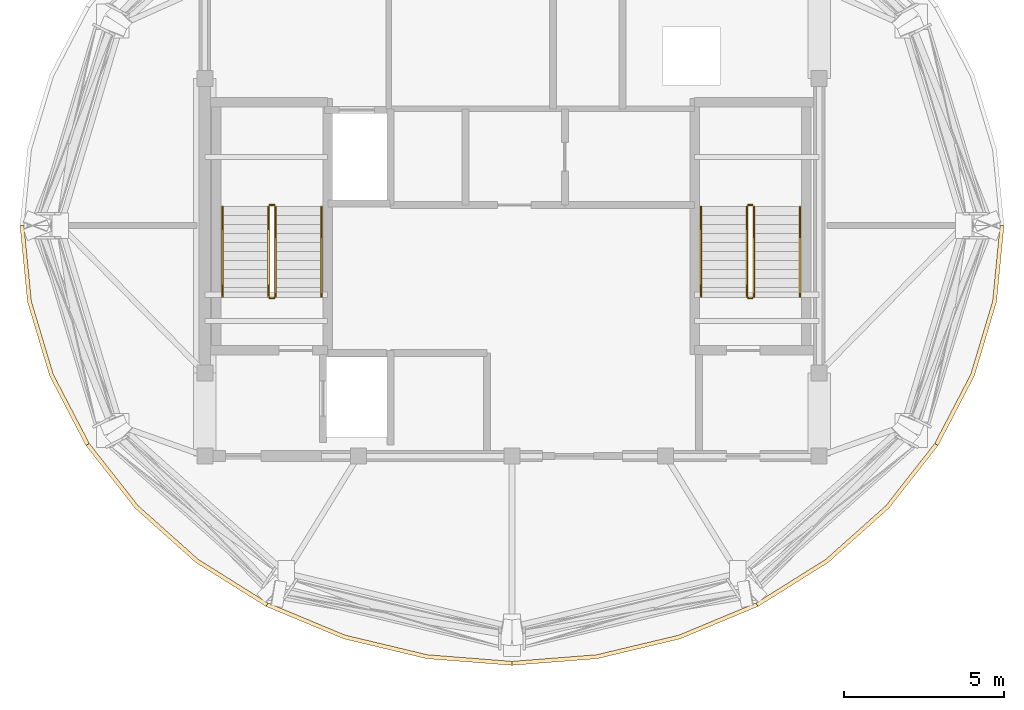
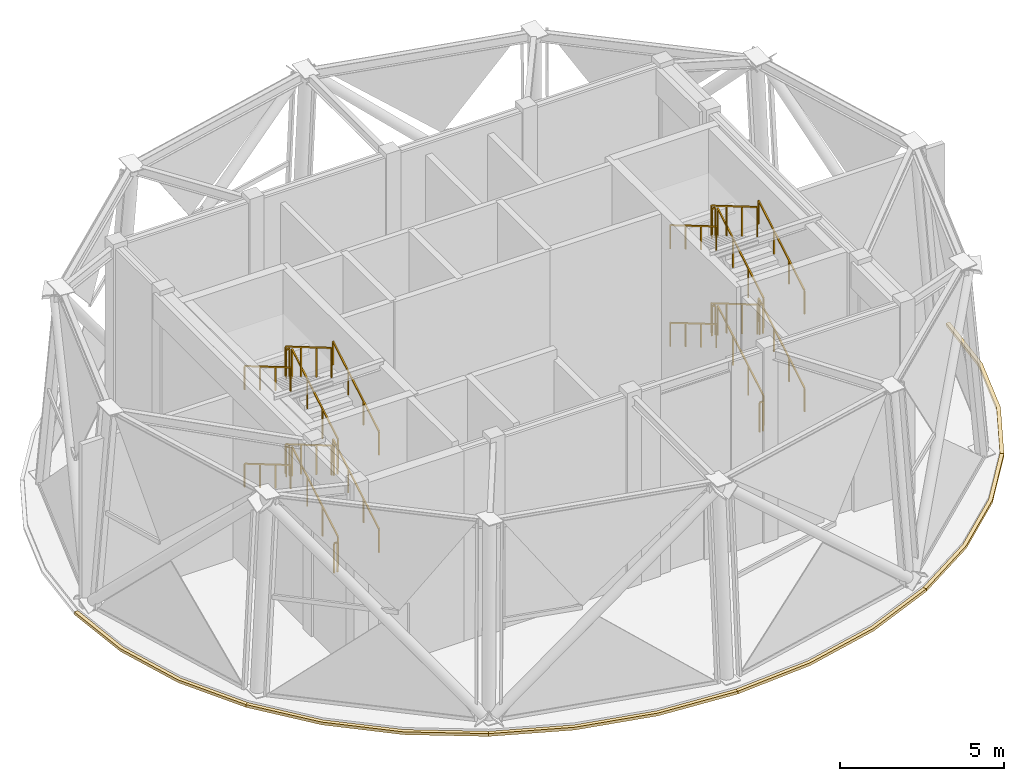
# One storey, part 7 of 8: 24 railings, 6 coverings.
"""IFC4 building model written with IfcOpenShell, lengths in metres."""

from ifc_helpers import new_model, si_unit, direction, frame, origin, origin_2d, place, context, subcontext, project, spatial, polyline, rectangle, outline, extrude, material, layer, layer_set, type_object, element, save


model = new_model("IFC4")

# Units and contexts
model_context = context("Model", 3, precision=1e-05, world=origin(), true_north=direction((0.0, 1.0)))
body_context = subcontext(model_context, "Body", "Model", "MODEL_VIEW")
ifc_project = project(units=[si_unit("LENGTHUNIT", "METRE"), si_unit("AREAUNIT", "SQUARE_METRE"), si_unit("VOLUMEUNIT", "CUBIC_METRE"), si_unit("PLANEANGLEUNIT", "RADIAN"), si_unit("MASSUNIT", "GRAM", prefix="KILO")], contexts=[model_context])

# Site, building, storey
site_placement = place(None, origin())
site = spatial("IfcSite", under=ifc_project, at=site_placement, CompositionType="ELEMENT")
building_placement = place(site_placement, origin())
building = spatial("IfcBuilding", under=site, at=building_placement, Name="Vantalir Tower", CompositionType="ELEMENT")
storey_placement = place(building_placement, frame((0.0, 0.0, 333.5)))
storey = spatial("IfcBuildingStorey", under=building, at=storey_placement, Name="L80", CompositionType="ELEMENT", Elevation=333.5)

# Coverings
ifc_material_1 = material(Name="Anodised champagne aluminium sill fascia", Category="aluminium")
ifc_layer = layer(ifc_material_1, 0.125)
ifc_layer_set = layer_set([ifc_layer], Name="Anodised champagne aluminium sill fascia")
covering_type = type_object("IfcCoveringType", Name="COV-SLAB-FASCIA-125", PredefinedType="CLADDING", material=ifc_layer_set)
covering_1_placement = place(storey_placement, frame((0.0, 0.0, -0.179931640625)))
element("IfcCovering", 1, at=covering_1_placement, inside=storey, type_object=covering_type, Name="L80 Perimeter Slab-Edge Sill Fascia 07", PredefinedType="CLADDING", context=body_context, shape_type="SweptSolid", body=[
    extrude(outline(polyline([(16.1240234375, 25.0), (16.35791015625, 22.614013671875), (17.051025390625, 20.300048828125), (18.18408203125, 18.12890625), (18.2919921875, 18.19091796875), (17.1689453125, 20.343017578125), (16.48095703125, 22.635009765625), (16.2490234375, 25.0), (16.1240234375, 25.0)])), origin(), (0.0, 0.0, 1.0), 0.10498046875),
])
covering_2_placement = place(storey_placement, frame((0.0, 0.0, -0.179931640625)))
element("IfcCovering", 2, at=covering_2_placement, inside=storey, type_object=covering_type, Name="L80 Perimeter Slab-Edge Sill Fascia 08", PredefinedType="CLADDING", context=body_context, shape_type="SweptSolid", body=[
    extrude(outline(polyline([(18.18408203125, 18.12890625), (19.720947265625, 16.1669921875), (21.615966796875, 14.472900390625), (23.81201171875, 13.09912109375), (23.8740234375, 13.20703125), (21.697021484375, 14.569091796875), (19.81689453125, 16.2470703125), (18.2919921875, 18.19091796875), (18.18408203125, 18.12890625)])), origin(), (0.0, 0.0, 1.0), 0.10498046875),
])
covering_3_placement = place(storey_placement, frame((0.0, 0.0, -0.179931640625)))
element("IfcCovering", 3, at=covering_3_placement, inside=storey, type_object=covering_type, Name="L80 Perimeter Slab-Edge Sill Fascia 09", PredefinedType="CLADDING", context=body_context, shape_type="SweptSolid", body=[
    extrude(outline(polyline([(23.81201171875, 13.09912109375), (26.240966796875, 12.0869140625), (28.830078125, 11.467041015625), (31.5, 11.258056640625), (31.5, 11.383056640625), (28.85205078125, 11.590087890625), (26.283935546875, 12.2041015625), (23.8740234375, 13.20703125), (23.81201171875, 13.09912109375)])), origin(), (0.0, 0.0, 1.0), 0.10498046875),
])
covering_4_placement = place(storey_placement, frame((0.0, 0.0, -0.179931640625)))
element("IfcCovering", 4, at=covering_4_placement, inside=storey, type_object=covering_type, Name="L80 Perimeter Slab-Edge Sill Fascia 10", PredefinedType="CLADDING", context=body_context, shape_type="SweptSolid", body=[
    extrude(outline(polyline([(31.5, 11.258056640625), (34.169921875, 11.467041015625), (36.759033203125, 12.0869140625), (39.18798828125, 13.09912109375), (39.1259765625, 13.20703125), (36.716064453125, 12.2041015625), (34.14794921875, 11.590087890625), (31.5, 11.383056640625), (31.5, 11.258056640625)])), origin(), (0.0, 0.0, 1.0), 0.10498046875),
])
covering_5_placement = place(storey_placement, frame((0.0, 0.0, -0.179931640625)))
element("IfcCovering", 5, at=covering_5_placement, inside=storey, type_object=covering_type, Name="L80 Perimeter Slab-Edge Sill Fascia 11", PredefinedType="CLADDING", context=body_context, shape_type="SweptSolid", body=[
    extrude(outline(polyline([(39.18798828125, 13.09912109375), (41.384033203125, 14.472900390625), (43.279052734375, 16.1669921875), (44.81591796875, 18.12890625), (44.7080078125, 18.19091796875), (43.18310546875, 16.2470703125), (41.302978515625, 14.569091796875), (39.1259765625, 13.20703125), (39.18798828125, 13.09912109375)])), origin(), (0.0, 0.0, 1.0), 0.10498046875),
])
covering_6_placement = place(storey_placement, frame((0.0, 0.0, -0.179931640625)))
element("IfcCovering", 6, at=covering_6_placement, inside=storey, type_object=covering_type, Name="L80 Perimeter Slab-Edge Sill Fascia 12", PredefinedType="CLADDING", context=body_context, shape_type="SweptSolid", body=[
    extrude(outline(polyline([(44.81591796875, 18.12890625), (45.948974609375, 20.300048828125), (46.64208984375, 22.614013671875), (46.8759765625, 25.0), (46.7509765625, 25.0), (46.51904296875, 22.635009765625), (45.8310546875, 20.343017578125), (44.7080078125, 18.19091796875), (44.81591796875, 18.12890625)])), origin(), (0.0, 0.0, 1.0), 0.10498046875),
])

# Railings
ifc_material_2 = material(Name="Anodised aluminium and stainless steel guard", Category="steel")
railing_type_1 = type_object("IfcRailingType", Name="RAL-GUARD-1120", PredefinedType="GUARDRAIL", material=ifc_material_2)
railing_1_placement = place(storey_placement, frame((24.110107421875, 22.7900390625, 0.164794921875)))
element("IfcRailing", 7, at=railing_1_placement, inside=storey, type_object=railing_type_1, Name="L80 ST1 stair guard 1", PredefinedType="GUARDRAIL", context=body_context, shape_type="SweptSolid", body=[
    extrude(rectangle(XDim=0.048095703125, YDim=0.048095703125, at=origin_2d()), frame((0.0, 0.0, 1.09619140625), z_axis=(0.0, 0.861851137157, 0.507161332695), x_axis=(-1.0, 0.0, 0.0)), (0.0, 0.0, 1.0), 3.248779296875),
    extrude(rectangle(XDim=0.0419921875, YDim=0.0419921875, at=origin_2d()), origin(), (0.0, 0.0, 1.0), 1.072021484375),
    extrude(rectangle(XDim=0.0419921875, YDim=0.0419921875, at=origin_2d()), frame((0.0, 0.933349609375, 0.54931640625)), (0.0, 0.0, 1.0), 1.072021484375),
    extrude(rectangle(XDim=0.0419921875, YDim=0.0419921875, at=origin_2d()), frame((0.0, 1.86669921875, 1.098388671875)), (0.0, 0.0, 1.0), 1.072021484375),
    extrude(rectangle(XDim=0.0419921875, YDim=0.0419921875, at=origin_2d()), frame((0.0, 2.800048828125, 1.647705078125)), (0.0, 0.0, 1.0), 1.072021484375),
])
railing_2_placement = place(storey_placement, frame((24.06005859375, 25.639892578125, 1.8125)))
element("IfcRailing", 8, at=railing_2_placement, inside=storey, type_object=railing_type_1, Name="L80 ST1 stair guard 2", PredefinedType="GUARDRAIL", context=body_context, shape_type="SweptSolid", body=[
    extrude(rectangle(XDim=0.048095703125, YDim=0.048095703125, at=origin_2d()), frame((0.0, 0.0, 1.09619140625), z_axis=(-1.0, 0.0, 0.0), x_axis=(0.0, -1.0, 0.0)), (0.0, 0.0, 1.0), 0.1201171875),
    extrude(rectangle(XDim=0.0419921875, YDim=0.0419921875, at=origin_2d()), origin(), (0.0, 0.0, 1.0), 1.072021484375),
    extrude(rectangle(XDim=0.0419921875, YDim=0.0419921875, at=origin_2d()), frame((-0.1201171875, 0.0, 0.0)), (0.0, 0.0, 1.0), 1.072021484375),
])
railing_3_placement = place(storey_placement, frame((23.889892578125, 25.590087890625, 1.977294921875)))
element("IfcRailing", 9, at=railing_3_placement, inside=storey, type_object=railing_type_1, Name="L80 ST1 stair guard 3", PredefinedType="GUARDRAIL", context=body_context, shape_type="SweptSolid", body=[
    extrude(rectangle(XDim=0.048095703125, YDim=0.048095703125, at=origin_2d()), frame((0.0, 0.0, 1.09619140625), z_axis=(0.0, -0.861851137157, 0.507161332695), x_axis=(1.0, 0.0, 0.0)), (0.0, 0.0, 1.0), 3.248779296875),
    extrude(rectangle(XDim=0.0419921875, YDim=0.0419921875, at=origin_2d()), origin(), (0.0, 0.0, 1.0), 1.072021484375),
    extrude(rectangle(XDim=0.0419921875, YDim=0.0419921875, at=origin_2d()), frame((0.0, -0.933349609375, 0.54931640625)), (0.0, 0.0, 1.0), 1.072021484375),
    extrude(rectangle(XDim=0.0419921875, YDim=0.0419921875, at=origin_2d()), frame((0.0, -1.86669921875, 1.098388671875)), (0.0, 0.0, 1.0), 1.072021484375),
    extrude(rectangle(XDim=0.0419921875, YDim=0.0419921875, at=origin_2d()), frame((0.0, -2.800048828125, 1.647705078125)), (0.0, 0.0, 1.0), 1.072021484375),
])
railing_4_placement = place(storey_placement, frame((24.06005859375, 22.739990234375, 3.625)))
element("IfcRailing", 10, at=railing_4_placement, inside=storey, type_object=railing_type_1, Name="L80 ST1 stair guard 4", PredefinedType="GUARDRAIL", context=body_context, shape_type="SweptSolid", body=[
    extrude(rectangle(XDim=0.048095703125, YDim=0.048095703125, at=origin_2d()), frame((0.0, 0.0, 1.09619140625), z_axis=(-1.0, 0.0, 0.0), x_axis=(0.0, -1.0, 0.0)), (0.0, 0.0, 1.0), 0.1201171875),
    extrude(rectangle(XDim=0.0419921875, YDim=0.0419921875, at=origin_2d()), origin(), (0.0, 0.0, 1.0), 1.072021484375),
    extrude(rectangle(XDim=0.0419921875, YDim=0.0419921875, at=origin_2d()), frame((-0.1201171875, 0.0, 0.0)), (0.0, 0.0, 1.0), 1.072021484375),
])
railing_5_placement = place(storey_placement, frame((24.110107421875, 22.7900390625, 3.789794921875)))
element("IfcRailing", 11, at=railing_5_placement, inside=storey, type_object=railing_type_1, Name="L80 ST1 stair guard 5", PredefinedType="GUARDRAIL", context=body_context, shape_type="SweptSolid", body=[
    extrude(rectangle(XDim=0.048095703125, YDim=0.048095703125, at=origin_2d()), frame((0.0, 0.0, 1.09619140625), z_axis=(0.0, 0.861851137157, 0.507161332695), x_axis=(-1.0, 0.0, 0.0)), (0.0, 0.0, 1.0), 3.248779296875),
    extrude(rectangle(XDim=0.0419921875, YDim=0.0419921875, at=origin_2d()), origin(), (0.0, 0.0, 1.0), 1.072021484375),
    extrude(rectangle(XDim=0.0419921875, YDim=0.0419921875, at=origin_2d()), frame((0.0, 0.933349609375, 0.54931640625)), (0.0, 0.0, 1.0), 1.072021484375),
    extrude(rectangle(XDim=0.0419921875, YDim=0.0419921875, at=origin_2d()), frame((0.0, 1.86669921875, 1.098388671875)), (0.0, 0.0, 1.0), 1.072021484375),
    extrude(rectangle(XDim=0.0419921875, YDim=0.0419921875, at=origin_2d()), frame((0.0, 2.800048828125, 1.647705078125)), (0.0, 0.0, 1.0), 1.072021484375),
])
railing_6_placement = place(storey_placement, frame((24.06005859375, 25.639892578125, 5.4375)))
element("IfcRailing", 12, at=railing_6_placement, inside=storey, type_object=railing_type_1, Name="L80 ST1 stair guard 6", PredefinedType="GUARDRAIL", context=body_context, shape_type="SweptSolid", body=[
    extrude(rectangle(XDim=0.048095703125, YDim=0.048095703125, at=origin_2d()), frame((0.0, 0.0, 1.09619140625), z_axis=(-1.0, 0.0, 0.0), x_axis=(0.0, -1.0, 0.0)), (0.0, 0.0, 1.0), 0.1201171875),
    extrude(rectangle(XDim=0.0419921875, YDim=0.0419921875, at=origin_2d()), origin(), (0.0, 0.0, 1.0), 1.072021484375),
    extrude(rectangle(XDim=0.0419921875, YDim=0.0419921875, at=origin_2d()), frame((-0.1201171875, 0.0, 0.0)), (0.0, 0.0, 1.0), 1.072021484375),
])
railing_7_placement = place(storey_placement, frame((23.889892578125, 25.590087890625, 5.602294921875)))
element("IfcRailing", 13, at=railing_7_placement, inside=storey, type_object=railing_type_1, Name="L80 ST1 stair guard 7", PredefinedType="GUARDRAIL", context=body_context, shape_type="SweptSolid", body=[
    extrude(rectangle(XDim=0.048095703125, YDim=0.048095703125, at=origin_2d()), frame((0.0, 0.0, 1.09619140625), z_axis=(0.0, -0.861851137157, 0.507161332695), x_axis=(1.0, 0.0, 0.0)), (0.0, 0.0, 1.0), 3.248779296875),
    extrude(rectangle(XDim=0.0419921875, YDim=0.0419921875, at=origin_2d()), origin(), (0.0, 0.0, 1.0), 1.072021484375),
    extrude(rectangle(XDim=0.0419921875, YDim=0.0419921875, at=origin_2d()), frame((0.0, -0.933349609375, 0.54931640625)), (0.0, 0.0, 1.0), 1.072021484375),
    extrude(rectangle(XDim=0.0419921875, YDim=0.0419921875, at=origin_2d()), frame((0.0, -1.86669921875, 1.098388671875)), (0.0, 0.0, 1.0), 1.072021484375),
    extrude(rectangle(XDim=0.0419921875, YDim=0.0419921875, at=origin_2d()), frame((0.0, -2.800048828125, 1.647705078125)), (0.0, 0.0, 1.0), 1.072021484375),
])
railing_8_placement = place(storey_placement, frame((24.06005859375, 22.739990234375, 0.0)))
element("IfcRailing", 14, at=railing_8_placement, inside=storey, type_object=railing_type_1, Name="L80 ST1 stair guard 8", PredefinedType="GUARDRAIL", context=body_context, shape_type="SweptSolid", body=[
    extrude(rectangle(XDim=0.048095703125, YDim=0.048095703125, at=origin_2d()), frame((0.0, 0.0, 1.09619140625), z_axis=(-1.0, 0.0, 0.0), x_axis=(0.0, -1.0, 0.0)), (0.0, 0.0, 1.0), 0.1201171875),
    extrude(rectangle(XDim=0.0419921875, YDim=0.0419921875, at=origin_2d()), origin(), (0.0, 0.0, 1.0), 1.072021484375),
    extrude(rectangle(XDim=0.0419921875, YDim=0.0419921875, at=origin_2d()), frame((-0.1201171875, 0.0, 0.0)), (0.0, 0.0, 1.0), 1.072021484375),
])
railing_9_placement = place(storey_placement, frame((39.06005859375, 22.7900390625, 0.164794921875)))
element("IfcRailing", 15, at=railing_9_placement, inside=storey, type_object=railing_type_1, Name="L80 ST2 stair guard 1", PredefinedType="GUARDRAIL", context=body_context, shape_type="SweptSolid", body=[
    extrude(rectangle(XDim=0.048095703125, YDim=0.048095703125, at=origin_2d()), frame((0.0, 0.0, 1.09619140625), z_axis=(0.0, 0.861851137157, 0.507161332695), x_axis=(-1.0, 0.0, 0.0)), (0.0, 0.0, 1.0), 3.248779296875),
    extrude(rectangle(XDim=0.0419921875, YDim=0.0419921875, at=origin_2d()), origin(), (0.0, 0.0, 1.0), 1.072021484375),
    extrude(rectangle(XDim=0.0419921875, YDim=0.0419921875, at=origin_2d()), frame((0.0, 0.933349609375, 0.54931640625)), (0.0, 0.0, 1.0), 1.072021484375),
    extrude(rectangle(XDim=0.0419921875, YDim=0.0419921875, at=origin_2d()), frame((0.0, 1.86669921875, 1.098388671875)), (0.0, 0.0, 1.0), 1.072021484375),
    extrude(rectangle(XDim=0.0419921875, YDim=0.0419921875, at=origin_2d()), frame((0.0, 2.800048828125, 1.647705078125)), (0.0, 0.0, 1.0), 1.072021484375),
])
railing_10_placement = place(storey_placement, frame((39.010009765625, 25.639892578125, 1.8125)))
element("IfcRailing", 16, at=railing_10_placement, inside=storey, type_object=railing_type_1, Name="L80 ST2 stair guard 2", PredefinedType="GUARDRAIL", context=body_context, shape_type="SweptSolid", body=[
    extrude(rectangle(XDim=0.048095703125, YDim=0.048095703125, at=origin_2d()), frame((0.0, 0.0, 1.09619140625), z_axis=(-1.0, 0.0, 0.0), x_axis=(0.0, -1.0, 0.0)), (0.0, 0.0, 1.0), 0.1201171875),
    extrude(rectangle(XDim=0.0419921875, YDim=0.0419921875, at=origin_2d()), origin(), (0.0, 0.0, 1.0), 1.072021484375),
    extrude(rectangle(XDim=0.0419921875, YDim=0.0419921875, at=origin_2d()), frame((-0.1201171875, 0.0, 0.0)), (0.0, 0.0, 1.0), 1.072021484375),
])
railing_11_placement = place(storey_placement, frame((38.840087890625, 25.590087890625, 1.977294921875)))
element("IfcRailing", 17, at=railing_11_placement, inside=storey, type_object=railing_type_1, Name="L80 ST2 stair guard 3", PredefinedType="GUARDRAIL", context=body_context, shape_type="SweptSolid", body=[
    extrude(rectangle(XDim=0.048095703125, YDim=0.048095703125, at=origin_2d()), frame((0.0, 0.0, 1.09619140625), z_axis=(0.0, -0.861851137157, 0.507161332695), x_axis=(1.0, 0.0, 0.0)), (0.0, 0.0, 1.0), 3.248779296875),
    extrude(rectangle(XDim=0.0419921875, YDim=0.0419921875, at=origin_2d()), origin(), (0.0, 0.0, 1.0), 1.072021484375),
    extrude(rectangle(XDim=0.0419921875, YDim=0.0419921875, at=origin_2d()), frame((0.0, -0.933349609375, 0.54931640625)), (0.0, 0.0, 1.0), 1.072021484375),
    extrude(rectangle(XDim=0.0419921875, YDim=0.0419921875, at=origin_2d()), frame((0.0, -1.86669921875, 1.098388671875)), (0.0, 0.0, 1.0), 1.072021484375),
    extrude(rectangle(XDim=0.0419921875, YDim=0.0419921875, at=origin_2d()), frame((0.0, -2.800048828125, 1.647705078125)), (0.0, 0.0, 1.0), 1.072021484375),
])
railing_12_placement = place(storey_placement, frame((39.010009765625, 22.739990234375, 3.625)))
element("IfcRailing", 18, at=railing_12_placement, inside=storey, type_object=railing_type_1, Name="L80 ST2 stair guard 4", PredefinedType="GUARDRAIL", context=body_context, shape_type="SweptSolid", body=[
    extrude(rectangle(XDim=0.048095703125, YDim=0.048095703125, at=origin_2d()), frame((0.0, 0.0, 1.09619140625), z_axis=(-1.0, 0.0, 0.0), x_axis=(0.0, -1.0, 0.0)), (0.0, 0.0, 1.0), 0.1201171875),
    extrude(rectangle(XDim=0.0419921875, YDim=0.0419921875, at=origin_2d()), origin(), (0.0, 0.0, 1.0), 1.072021484375),
    extrude(rectangle(XDim=0.0419921875, YDim=0.0419921875, at=origin_2d()), frame((-0.1201171875, 0.0, 0.0)), (0.0, 0.0, 1.0), 1.072021484375),
])
railing_13_placement = place(storey_placement, frame((39.06005859375, 22.7900390625, 3.789794921875)))
element("IfcRailing", 19, at=railing_13_placement, inside=storey, type_object=railing_type_1, Name="L80 ST2 stair guard 5", PredefinedType="GUARDRAIL", context=body_context, shape_type="SweptSolid", body=[
    extrude(rectangle(XDim=0.048095703125, YDim=0.048095703125, at=origin_2d()), frame((0.0, 0.0, 1.09619140625), z_axis=(0.0, 0.861851137157, 0.507161332695), x_axis=(-1.0, 0.0, 0.0)), (0.0, 0.0, 1.0), 3.248779296875),
    extrude(rectangle(XDim=0.0419921875, YDim=0.0419921875, at=origin_2d()), origin(), (0.0, 0.0, 1.0), 1.072021484375),
    extrude(rectangle(XDim=0.0419921875, YDim=0.0419921875, at=origin_2d()), frame((0.0, 0.933349609375, 0.54931640625)), (0.0, 0.0, 1.0), 1.072021484375),
    extrude(rectangle(XDim=0.0419921875, YDim=0.0419921875, at=origin_2d()), frame((0.0, 1.86669921875, 1.098388671875)), (0.0, 0.0, 1.0), 1.072021484375),
    extrude(rectangle(XDim=0.0419921875, YDim=0.0419921875, at=origin_2d()), frame((0.0, 2.800048828125, 1.647705078125)), (0.0, 0.0, 1.0), 1.072021484375),
])
railing_14_placement = place(storey_placement, frame((39.010009765625, 25.639892578125, 5.4375)))
element("IfcRailing", 20, at=railing_14_placement, inside=storey, type_object=railing_type_1, Name="L80 ST2 stair guard 6", PredefinedType="GUARDRAIL", context=body_context, shape_type="SweptSolid", body=[
    extrude(rectangle(XDim=0.048095703125, YDim=0.048095703125, at=origin_2d()), frame((0.0, 0.0, 1.09619140625), z_axis=(-1.0, 0.0, 0.0), x_axis=(0.0, -1.0, 0.0)), (0.0, 0.0, 1.0), 0.1201171875),
    extrude(rectangle(XDim=0.0419921875, YDim=0.0419921875, at=origin_2d()), origin(), (0.0, 0.0, 1.0), 1.072021484375),
    extrude(rectangle(XDim=0.0419921875, YDim=0.0419921875, at=origin_2d()), frame((-0.1201171875, 0.0, 0.0)), (0.0, 0.0, 1.0), 1.072021484375),
])
railing_15_placement = place(storey_placement, frame((38.840087890625, 25.590087890625, 5.602294921875)))
element("IfcRailing", 21, at=railing_15_placement, inside=storey, type_object=railing_type_1, Name="L80 ST2 stair guard 7", PredefinedType="GUARDRAIL", context=body_context, shape_type="SweptSolid", body=[
    extrude(rectangle(XDim=0.048095703125, YDim=0.048095703125, at=origin_2d()), frame((0.0, 0.0, 1.09619140625), z_axis=(0.0, -0.861851137157, 0.507161332695), x_axis=(1.0, 0.0, 0.0)), (0.0, 0.0, 1.0), 3.248779296875),
    extrude(rectangle(XDim=0.0419921875, YDim=0.0419921875, at=origin_2d()), origin(), (0.0, 0.0, 1.0), 1.072021484375),
    extrude(rectangle(XDim=0.0419921875, YDim=0.0419921875, at=origin_2d()), frame((0.0, -0.933349609375, 0.54931640625)), (0.0, 0.0, 1.0), 1.072021484375),
    extrude(rectangle(XDim=0.0419921875, YDim=0.0419921875, at=origin_2d()), frame((0.0, -1.86669921875, 1.098388671875)), (0.0, 0.0, 1.0), 1.072021484375),
    extrude(rectangle(XDim=0.0419921875, YDim=0.0419921875, at=origin_2d()), frame((0.0, -2.800048828125, 1.647705078125)), (0.0, 0.0, 1.0), 1.072021484375),
])
railing_16_placement = place(storey_placement, frame((39.010009765625, 22.739990234375, 0.0)))
element("IfcRailing", 22, at=railing_16_placement, inside=storey, type_object=railing_type_1, Name="L80 ST2 stair guard 8", PredefinedType="GUARDRAIL", context=body_context, shape_type="SweptSolid", body=[
    extrude(rectangle(XDim=0.048095703125, YDim=0.048095703125, at=origin_2d()), frame((0.0, 0.0, 1.09619140625), z_axis=(-1.0, 0.0, 0.0), x_axis=(0.0, -1.0, 0.0)), (0.0, 0.0, 1.0), 0.1201171875),
    extrude(rectangle(XDim=0.0419921875, YDim=0.0419921875, at=origin_2d()), origin(), (0.0, 0.0, 1.0), 1.072021484375),
    extrude(rectangle(XDim=0.0419921875, YDim=0.0419921875, at=origin_2d()), frame((-0.1201171875, 0.0, 0.0)), (0.0, 0.0, 1.0), 1.072021484375),
])
ifc_material_3 = material(Name="Brushed stainless steel tubular handrail", Category="steel")
railing_type_2 = type_object("IfcRailingType", Name="RAL-HANDRAIL-900", PredefinedType="HANDRAIL", material=ifc_material_3)
railing_17_placement = place(storey_placement, frame((25.550048828125, 22.7900390625, 0.164794921875)))
element("IfcRailing", 23, at=railing_17_placement, inside=storey, type_object=railing_type_2, Name="L80 ST1 stair handrail 1", PredefinedType="HANDRAIL", context=body_context, shape_type="SweptSolid", body=[
    extrude(rectangle(XDim=0.048095703125, YDim=0.048095703125, at=origin_2d()), frame((0.0, 0.0, 0.8759765625), z_axis=(0.0, 0.861851137157, 0.507161332695), x_axis=(-1.0, 0.0, 0.0)), (0.0, 0.0, 1.0), 3.248779296875),
    extrude(rectangle(XDim=0.0419921875, YDim=0.0419921875, at=origin_2d()), origin(), (0.0, 0.0, 1.0), 0.851806640625),
    extrude(rectangle(XDim=0.0419921875, YDim=0.0419921875, at=origin_2d()), frame((0.0, 0.933349609375, 0.54931640625)), (0.0, 0.0, 1.0), 0.851806640625),
    extrude(rectangle(XDim=0.0419921875, YDim=0.0419921875, at=origin_2d()), frame((0.0, 1.86669921875, 1.098388671875)), (0.0, 0.0, 1.0), 0.851806640625),
    extrude(rectangle(XDim=0.0419921875, YDim=0.0419921875, at=origin_2d()), frame((0.0, 2.800048828125, 1.647705078125)), (0.0, 0.0, 1.0), 0.851806640625),
])
railing_18_placement = place(storey_placement, frame((22.449951171875, 25.590087890625, 1.977294921875)))
element("IfcRailing", 24, at=railing_18_placement, inside=storey, type_object=railing_type_2, Name="L80 ST1 stair handrail 2", PredefinedType="HANDRAIL", context=body_context, shape_type="SweptSolid", body=[
    extrude(rectangle(XDim=0.048095703125, YDim=0.048095703125, at=origin_2d()), frame((0.0, 0.0, 0.8759765625), z_axis=(0.0, -0.861851137157, 0.507161332695), x_axis=(1.0, 0.0, 0.0)), (0.0, 0.0, 1.0), 3.248779296875),
    extrude(rectangle(XDim=0.0419921875, YDim=0.0419921875, at=origin_2d()), origin(), (0.0, 0.0, 1.0), 0.851806640625),
    extrude(rectangle(XDim=0.0419921875, YDim=0.0419921875, at=origin_2d()), frame((0.0, -0.933349609375, 0.54931640625)), (0.0, 0.0, 1.0), 0.851806640625),
    extrude(rectangle(XDim=0.0419921875, YDim=0.0419921875, at=origin_2d()), frame((0.0, -1.86669921875, 1.098388671875)), (0.0, 0.0, 1.0), 0.851806640625),
    extrude(rectangle(XDim=0.0419921875, YDim=0.0419921875, at=origin_2d()), frame((0.0, -2.800048828125, 1.647705078125)), (0.0, 0.0, 1.0), 0.851806640625),
])
railing_19_placement = place(storey_placement, frame((25.550048828125, 22.7900390625, 3.789794921875)))
element("IfcRailing", 25, at=railing_19_placement, inside=storey, type_object=railing_type_2, Name="L80 ST1 stair handrail 3", PredefinedType="HANDRAIL", context=body_context, shape_type="SweptSolid", body=[
    extrude(rectangle(XDim=0.048095703125, YDim=0.048095703125, at=origin_2d()), frame((0.0, 0.0, 0.8759765625), z_axis=(0.0, 0.861851137157, 0.507161332695), x_axis=(-1.0, 0.0, 0.0)), (0.0, 0.0, 1.0), 3.248779296875),
    extrude(rectangle(XDim=0.0419921875, YDim=0.0419921875, at=origin_2d()), origin(), (0.0, 0.0, 1.0), 0.851806640625),
    extrude(rectangle(XDim=0.0419921875, YDim=0.0419921875, at=origin_2d()), frame((0.0, 0.933349609375, 0.54931640625)), (0.0, 0.0, 1.0), 0.851806640625),
    extrude(rectangle(XDim=0.0419921875, YDim=0.0419921875, at=origin_2d()), frame((0.0, 1.86669921875, 1.098388671875)), (0.0, 0.0, 1.0), 0.851806640625),
    extrude(rectangle(XDim=0.0419921875, YDim=0.0419921875, at=origin_2d()), frame((0.0, 2.800048828125, 1.647705078125)), (0.0, 0.0, 1.0), 0.851806640625),
])
railing_20_placement = place(storey_placement, frame((22.449951171875, 25.590087890625, 5.602294921875)))
element("IfcRailing", 26, at=railing_20_placement, inside=storey, type_object=railing_type_2, Name="L80 ST1 stair handrail 4", PredefinedType="HANDRAIL", context=body_context, shape_type="SweptSolid", body=[
    extrude(rectangle(XDim=0.048095703125, YDim=0.048095703125, at=origin_2d()), frame((0.0, 0.0, 0.8759765625), z_axis=(0.0, -0.861851137157, 0.507161332695), x_axis=(1.0, 0.0, 0.0)), (0.0, 0.0, 1.0), 3.248779296875),
    extrude(rectangle(XDim=0.0419921875, YDim=0.0419921875, at=origin_2d()), origin(), (0.0, 0.0, 1.0), 0.851806640625),
    extrude(rectangle(XDim=0.0419921875, YDim=0.0419921875, at=origin_2d()), frame((0.0, -0.933349609375, 0.54931640625)), (0.0, 0.0, 1.0), 0.851806640625),
    extrude(rectangle(XDim=0.0419921875, YDim=0.0419921875, at=origin_2d()), frame((0.0, -1.86669921875, 1.098388671875)), (0.0, 0.0, 1.0), 0.851806640625),
    extrude(rectangle(XDim=0.0419921875, YDim=0.0419921875, at=origin_2d()), frame((0.0, -2.800048828125, 1.647705078125)), (0.0, 0.0, 1.0), 0.851806640625),
])
railing_21_placement = place(storey_placement, frame((40.5, 22.7900390625, 0.164794921875)))
element("IfcRailing", 27, at=railing_21_placement, inside=storey, type_object=railing_type_2, Name="L80 ST2 stair handrail 1", PredefinedType="HANDRAIL", context=body_context, shape_type="SweptSolid", body=[
    extrude(rectangle(XDim=0.048095703125, YDim=0.048095703125, at=origin_2d()), frame((0.0, 0.0, 0.8759765625), z_axis=(0.0, 0.861851137157, 0.507161332695), x_axis=(-1.0, 0.0, 0.0)), (0.0, 0.0, 1.0), 3.248779296875),
    extrude(rectangle(XDim=0.0419921875, YDim=0.0419921875, at=origin_2d()), origin(), (0.0, 0.0, 1.0), 0.851806640625),
    extrude(rectangle(XDim=0.0419921875, YDim=0.0419921875, at=origin_2d()), frame((0.0, 0.933349609375, 0.54931640625)), (0.0, 0.0, 1.0), 0.851806640625),
    extrude(rectangle(XDim=0.0419921875, YDim=0.0419921875, at=origin_2d()), frame((0.0, 1.86669921875, 1.098388671875)), (0.0, 0.0, 1.0), 0.851806640625),
    extrude(rectangle(XDim=0.0419921875, YDim=0.0419921875, at=origin_2d()), frame((0.0, 2.800048828125, 1.647705078125)), (0.0, 0.0, 1.0), 0.851806640625),
])
railing_22_placement = place(storey_placement, frame((37.39990234375, 25.590087890625, 1.977294921875)))
element("IfcRailing", 28, at=railing_22_placement, inside=storey, type_object=railing_type_2, Name="L80 ST2 stair handrail 2", PredefinedType="HANDRAIL", context=body_context, shape_type="SweptSolid", body=[
    extrude(rectangle(XDim=0.048095703125, YDim=0.048095703125, at=origin_2d()), frame((0.0, 0.0, 0.8759765625), z_axis=(0.0, -0.861851137157, 0.507161332695), x_axis=(1.0, 0.0, 0.0)), (0.0, 0.0, 1.0), 3.248779296875),
    extrude(rectangle(XDim=0.0419921875, YDim=0.0419921875, at=origin_2d()), origin(), (0.0, 0.0, 1.0), 0.851806640625),
    extrude(rectangle(XDim=0.0419921875, YDim=0.0419921875, at=origin_2d()), frame((0.0, -0.933349609375, 0.54931640625)), (0.0, 0.0, 1.0), 0.851806640625),
    extrude(rectangle(XDim=0.0419921875, YDim=0.0419921875, at=origin_2d()), frame((0.0, -1.86669921875, 1.098388671875)), (0.0, 0.0, 1.0), 0.851806640625),
    extrude(rectangle(XDim=0.0419921875, YDim=0.0419921875, at=origin_2d()), frame((0.0, -2.800048828125, 1.647705078125)), (0.0, 0.0, 1.0), 0.851806640625),
])
railing_23_placement = place(storey_placement, frame((40.5, 22.7900390625, 3.789794921875)))
element("IfcRailing", 29, at=railing_23_placement, inside=storey, type_object=railing_type_2, Name="L80 ST2 stair handrail 3", PredefinedType="HANDRAIL", context=body_context, shape_type="SweptSolid", body=[
    extrude(rectangle(XDim=0.048095703125, YDim=0.048095703125, at=origin_2d()), frame((0.0, 0.0, 0.8759765625), z_axis=(0.0, 0.861851137157, 0.507161332695), x_axis=(-1.0, 0.0, 0.0)), (0.0, 0.0, 1.0), 3.248779296875),
    extrude(rectangle(XDim=0.0419921875, YDim=0.0419921875, at=origin_2d()), origin(), (0.0, 0.0, 1.0), 0.851806640625),
    extrude(rectangle(XDim=0.0419921875, YDim=0.0419921875, at=origin_2d()), frame((0.0, 0.933349609375, 0.54931640625)), (0.0, 0.0, 1.0), 0.851806640625),
    extrude(rectangle(XDim=0.0419921875, YDim=0.0419921875, at=origin_2d()), frame((0.0, 1.86669921875, 1.098388671875)), (0.0, 0.0, 1.0), 0.851806640625),
    extrude(rectangle(XDim=0.0419921875, YDim=0.0419921875, at=origin_2d()), frame((0.0, 2.800048828125, 1.647705078125)), (0.0, 0.0, 1.0), 0.851806640625),
])
railing_24_placement = place(storey_placement, frame((37.39990234375, 25.590087890625, 5.602294921875)))
element("IfcRailing", 30, at=railing_24_placement, inside=storey, type_object=railing_type_2, Name="L80 ST2 stair handrail 4", PredefinedType="HANDRAIL", context=body_context, shape_type="SweptSolid", body=[
    extrude(rectangle(XDim=0.048095703125, YDim=0.048095703125, at=origin_2d()), frame((0.0, 0.0, 0.8759765625), z_axis=(0.0, -0.861851137157, 0.507161332695), x_axis=(1.0, 0.0, 0.0)), (0.0, 0.0, 1.0), 3.248779296875),
    extrude(rectangle(XDim=0.0419921875, YDim=0.0419921875, at=origin_2d()), origin(), (0.0, 0.0, 1.0), 0.851806640625),
    extrude(rectangle(XDim=0.0419921875, YDim=0.0419921875, at=origin_2d()), frame((0.0, -0.933349609375, 0.54931640625)), (0.0, 0.0, 1.0), 0.851806640625),
    extrude(rectangle(XDim=0.0419921875, YDim=0.0419921875, at=origin_2d()), frame((0.0, -1.86669921875, 1.098388671875)), (0.0, 0.0, 1.0), 0.851806640625),
    extrude(rectangle(XDim=0.0419921875, YDim=0.0419921875, at=origin_2d()), frame((0.0, -2.800048828125, 1.647705078125)), (0.0, 0.0, 1.0), 0.851806640625),
])

save(model, "model.ifc")
